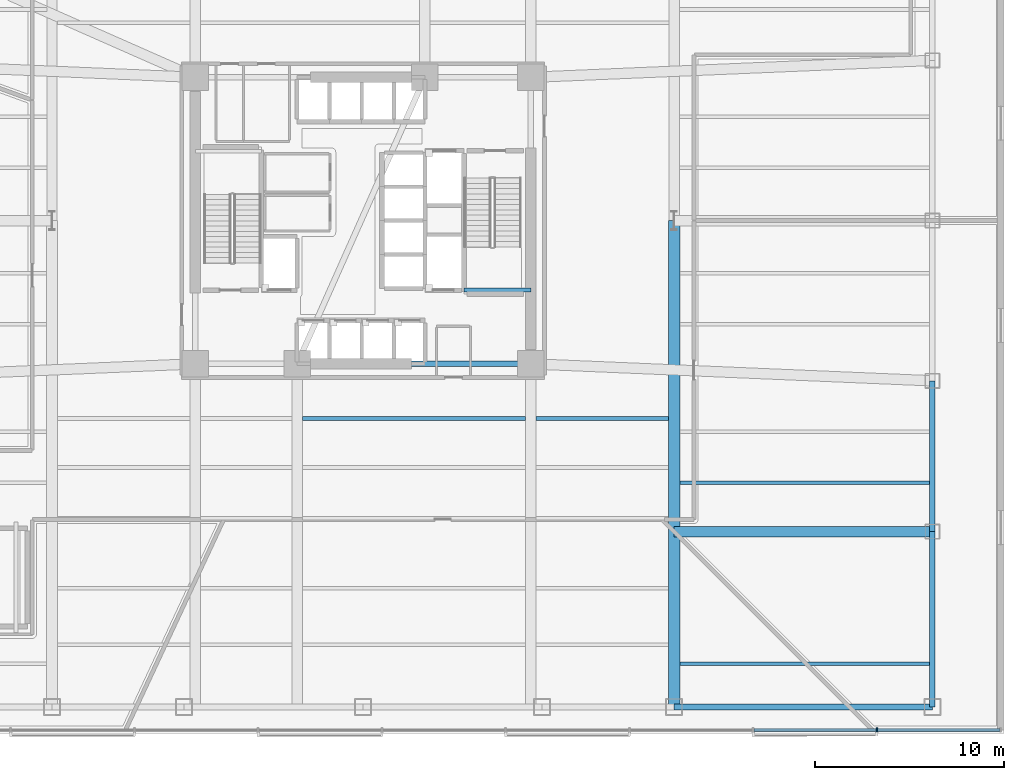
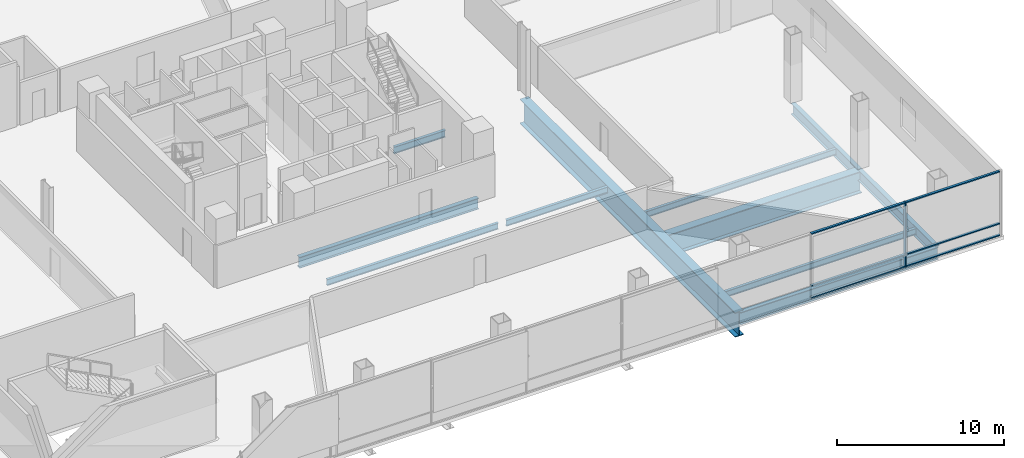
# One storey, part 4 of 24: 11 beams, 7 members, 1 element without a shape of its own.
"""IFC4 building model written with IfcOpenShell, lengths in metres."""

from ifc_helpers import new_model, si_unit, direction, frame, origin, origin_2d, place, context, subcontext, project, spatial, rectangle, i_section, extrude, material, layer, layer_set, material_profile, profile_set, type_object, element, aggregate, save


model = new_model("IFC4")

# Units and contexts
model_context = context("Model", 3, precision=1e-05, world=origin(), true_north=direction((0.0, 1.0)))
body_context = subcontext(model_context, "Body", "Model", "MODEL_VIEW")
ifc_project = project(units=[si_unit("LENGTHUNIT", "METRE"), si_unit("AREAUNIT", "SQUARE_METRE"), si_unit("VOLUMEUNIT", "CUBIC_METRE"), si_unit("PLANEANGLEUNIT", "RADIAN"), si_unit("MASSUNIT", "GRAM", prefix="KILO")], contexts=[model_context])

# Site, building, storey
site_placement = place(None, origin())
site = spatial("IfcSite", under=ifc_project, at=site_placement, CompositionType="ELEMENT")
building_placement = place(site_placement, origin())
building = spatial("IfcBuilding", under=site, at=building_placement, Name="Tharavind Bronze Gate", CompositionType="ELEMENT")
storey_placement = place(building_placement, frame((0.0, 0.0, 21.5)))
storey = spatial("IfcBuildingStorey", under=building, at=storey_placement, Name="L04", CompositionType="ELEMENT", Elevation=21.5)

# Curtain wall, members
ifc_material_1 = material(Name="Anodised Bronze Aluminium", Category="aluminium")
ifc_layer = layer(ifc_material_1, 0.219970703125)
ifc_layer_set = layer_set([ifc_layer], Name="Anodised Bronze Aluminium")
curtain_wall_type = type_object("IfcCurtainWallType", Name="UNITISED CURTAIN WALL PODIUM", PredefinedType="USERDEFINED", material=ifc_layer_set)
curtain_wall_placement = place(storey_placement, origin())
curtain_wall = element("IfcCurtainWall", 1, at=curtain_wall_placement, inside=storey, type_object=curtain_wall_type, Name="L04 unitised curtain wall podium CW-L04-S1", ObjectType="UNITISED CURTAIN WALL", PredefinedType="USERDEFINED")
member_type_1 = type_object("IfcMemberType", Name="CURTAIN WALL MULLION 80X220", PredefinedType="MULLION", material=ifc_material_1)
member_1_placement = place(storey_placement, frame((27.256103515625, -27.02001953125, 0.0), z_axis=(0.0, 0.0, 1.0), x_axis=(1.0, 0.0, 0.0)))
member_1 = element("IfcMember", 2, at=member_1_placement, type_object=member_type_1, Name="CW-L04-S1 mullion 10", PredefinedType="MULLION", context=body_context, shape_type="SweptSolid", body=[
    extrude(rectangle(XDim=0.080078125, YDim=0.219970703125, at=origin_2d()), origin(), (0.0, 0.0, 1.0), 4.739990234375),
])
member_type_2 = type_object("IfcMemberType", Name="CURTAIN WALL TRANSOM 80X160", PredefinedType="USERDEFINED", material=ifc_material_1)
member_2_placement = place(storey_placement, frame((23.97412109375, -27.02001953125, 0.0), z_axis=(0.0, 0.0, 1.0), x_axis=(1.0, 0.0, 0.0)))
member_2 = element("IfcMember", 3, at=member_2_placement, type_object=member_type_2, Name="CW-L04-S1 transom TB9", ObjectType="TRANSOM", PredefinedType="USERDEFINED", context=body_context, shape_type="SweptSolid", body=[
    extrude(rectangle(XDim=6.49609375, YDim=0.159912109375, at=origin_2d()), origin(), (0.0, 0.0, 1.0), 0.080078125),
])
member_3_placement = place(storey_placement, frame((23.97412109375, -27.02001953125, 0.85986328125), z_axis=(0.0, 0.0, 1.0), x_axis=(1.0, 0.0, 0.0)))
member_3 = element("IfcMember", 4, at=member_3_placement, type_object=member_type_2, Name="CW-L04-S1 transom TS9", ObjectType="TRANSOM", PredefinedType="USERDEFINED", context=body_context, shape_type="SweptSolid", body=[
    extrude(rectangle(XDim=6.49609375, YDim=0.159912109375, at=origin_2d()), origin(), (0.0, 0.0, 1.0), 0.080078125),
])
member_4_placement = place(storey_placement, frame((23.97412109375, -27.02001953125, 4.659912109375), z_axis=(0.0, 0.0, 1.0), x_axis=(1.0, 0.0, 0.0)))
member_4 = element("IfcMember", 5, at=member_4_placement, type_object=member_type_2, Name="CW-L04-S1 transom TT9", ObjectType="TRANSOM", PredefinedType="USERDEFINED", context=body_context, shape_type="SweptSolid", body=[
    extrude(rectangle(XDim=6.49609375, YDim=0.159912109375, at=origin_2d()), origin(), (0.0, 0.0, 1.0), 0.080078125),
])
member_5_placement = place(storey_placement, frame((30.5380859375, -27.02001953125, 0.0), z_axis=(0.0, 0.0, 1.0), x_axis=(1.0, 0.0, 0.0)))
member_5 = element("IfcMember", 6, at=member_5_placement, type_object=member_type_2, Name="CW-L04-S1 transom TB10", ObjectType="TRANSOM", PredefinedType="USERDEFINED", context=body_context, shape_type="SweptSolid", body=[
    extrude(rectangle(XDim=6.49609375, YDim=0.159912109375, at=origin_2d()), origin(), (0.0, 0.0, 1.0), 0.080078125),
])
member_6_placement = place(storey_placement, frame((30.5380859375, -27.02001953125, 0.85986328125), z_axis=(0.0, 0.0, 1.0), x_axis=(1.0, 0.0, 0.0)))
member_6 = element("IfcMember", 7, at=member_6_placement, type_object=member_type_2, Name="CW-L04-S1 transom TS10", ObjectType="TRANSOM", PredefinedType="USERDEFINED", context=body_context, shape_type="SweptSolid", body=[
    extrude(rectangle(XDim=6.49609375, YDim=0.159912109375, at=origin_2d()), origin(), (0.0, 0.0, 1.0), 0.080078125),
])
member_7_placement = place(storey_placement, frame((30.5380859375, -27.02001953125, 4.659912109375), z_axis=(0.0, 0.0, 1.0), x_axis=(1.0, 0.0, 0.0)))
member_7 = element("IfcMember", 8, at=member_7_placement, type_object=member_type_2, Name="CW-L04-S1 transom TT10", ObjectType="TRANSOM", PredefinedType="USERDEFINED", context=body_context, shape_type="SweptSolid", body=[
    extrude(rectangle(XDim=6.49609375, YDim=0.159912109375, at=origin_2d()), origin(), (0.0, 0.0, 1.0), 0.080078125),
])
aggregate(curtain_wall, [member_1, member_2, member_3, member_4, member_5, member_6, member_7])

# Beams
ifc_material_2 = material(Name="Steel S355", Category="steel")
ifc_material_profile_1 = material_profile(ifc_material_2, i_section(OverallWidth=0.199951171875, OverallDepth=0.5, WebThickness=0.01025390625, FlangeThickness=0.01611328125, at=origin_2d()), Name="IPE500")
ifc_profile_set_1 = profile_set([ifc_material_profile_1], Name="Steel S355")
beam_type_1 = type_object("IfcBeamType", Name="PRIMARY GIRDER IPE500", PredefinedType="USERDEFINED", material=ifc_profile_set_1)
beam_1_placement = place(storey_placement, frame((5.35009765625, -3.679931640625, 2.050048828125), z_axis=(1.0, 0.0, 0.0), x_axis=(0.0, 1.0, 0.0)))
element("IfcBeam", 9, at=beam_1_placement, inside=storey, type_object=beam_type_1, Name="L04 primary girder ipe500 BM-LD-ST2-L04-1", ObjectType="GIRDER", PredefinedType="USERDEFINED", context=body_context, shape_type="SweptSolid", body=[
    extrude(i_section(OverallWidth=0.199951171875, OverallDepth=0.5, WebThickness=0.01025390625, FlangeThickness=0.01611328125, at=origin_2d()), origin(), (0.0, 0.0, 1.0), 3.5498046875),
])
ifc_material_profile_2 = material_profile(ifc_material_2, i_section(OverallWidth=0.300048828125, OverallDepth=0.800048828125, WebThickness=0.017578125, FlangeThickness=0.032958984375, at=origin_2d()), Name="HE800B")
ifc_profile_set_2 = profile_set([ifc_material_profile_2], Name="Steel S355")
beam_type_2 = type_object("IfcBeamType", Name="RING GIRDER HE800B", PredefinedType="USERDEFINED", material=ifc_profile_set_2)
beam_2_placement = place(storey_placement, frame((-3.5, -7.60009765625, -0.659912109375), z_axis=(1.0, 0.0, 0.0), x_axis=(0.0, 1.0, 0.0)))
element("IfcBeam", 10, at=beam_2_placement, inside=storey, type_object=beam_type_2, Name="L04 ring girder he800b BM-L04-CR2", ObjectType="GIRDER", PredefinedType="USERDEFINED", context=body_context, shape_type="SweptSolid", body=[
    extrude(i_section(OverallWidth=0.300048828125, OverallDepth=0.800048828125, WebThickness=0.017578125, FlangeThickness=0.032958984375, at=origin_2d()), origin(), (0.0, 0.0, 1.0), 12.39990234375),
])
beam_3_placement = place(storey_placement, frame((30.199951171875, -25.800048828125, -0.659912109375), z_axis=(0.0, 1.0, 0.0), x_axis=(-1.0, 0.0, 0.0)))
element("IfcBeam", 11, at=beam_3_placement, inside=storey, type_object=beam_type_2, Name="L04 ring girder he800b BM-L04-PE1", ObjectType="GIRDER", PredefinedType="USERDEFINED", context=body_context, shape_type="SweptSolid", body=[
    extrude(i_section(OverallWidth=0.300048828125, OverallDepth=0.800048828125, WebThickness=0.017578125, FlangeThickness=0.032958984375, at=origin_2d()), origin(), (0.0, 0.0, 1.0), 9.300048828125),
])
beam_4_placement = place(storey_placement, frame((30.199951171875, -16.5, -0.659912109375), z_axis=(0.0, 1.0, 0.0), x_axis=(-1.0, 0.0, 0.0)))
element("IfcBeam", 12, at=beam_4_placement, inside=storey, type_object=beam_type_2, Name="L04 ring girder he800b BM-L04-PE2", ObjectType="GIRDER", PredefinedType="USERDEFINED", context=body_context, shape_type="SweptSolid", body=[
    extrude(i_section(OverallWidth=0.300048828125, OverallDepth=0.800048828125, WebThickness=0.017578125, FlangeThickness=0.032958984375, at=origin_2d()), origin(), (0.0, 0.0, 1.0), 8.0),
])
ifc_material_profile_3 = material_profile(ifc_material_2, i_section(OverallWidth=0.18994140625, OverallDepth=0.449951171875, WebThickness=0.009521484375, FlangeThickness=0.0146484375, at=origin_2d()), Name="IPE450")
ifc_profile_set_3 = profile_set([ifc_material_profile_3], Name="Steel S355")
beam_type_3 = type_object("IfcBeamType", Name="SECONDARY FLOOR JOIST IPE450", PredefinedType="JOIST", material=ifc_profile_set_3)
beam_5_placement = place(storey_placement, frame((-3.222900390625, -10.5, -0.485107421875), z_axis=(1.0, 0.0, 0.0), x_axis=(0.0, 1.0, 0.0)))
element("IfcBeam", 13, at=beam_5_placement, inside=storey, type_object=beam_type_3, Name="L04 secondary floor joist ipe450 BM-L04-JSS5B", PredefinedType="JOIST", context=body_context, shape_type="SweptSolid", body=[
    extrude(i_section(OverallWidth=0.18994140625, OverallDepth=0.449951171875, WebThickness=0.009521484375, FlangeThickness=0.0146484375, at=origin_2d()), origin(), (0.0, 0.0, 1.0), 11.845947265625),
])
beam_6_placement = place(storey_placement, frame((9.177001953125, -10.5, -0.485107421875), z_axis=(1.0, 0.0, 0.0), x_axis=(0.0, 1.0, 0.0)))
element("IfcBeam", 14, at=beam_6_placement, inside=storey, type_object=beam_type_3, Name="L04 secondary floor joist ipe450 BM-L04-JSS5E", PredefinedType="JOIST", context=body_context, shape_type="SweptSolid", body=[
    extrude(i_section(OverallWidth=0.18994140625, OverallDepth=0.449951171875, WebThickness=0.009521484375, FlangeThickness=0.0146484375, at=origin_2d()), origin(), (0.0, 0.0, 1.0), 7.02099609375),
])
for number, where, z_axis, x_axis, name in (
    (15, (16.802001953125, -23.5, -0.485107421875), (1.0, 0.0, 0.0), (0.0, 1.0, 0.0), "L04 secondary floor joist ipe450 BM-L04-JSEE1"),
    (16, (16.802001953125, -13.89990234375, -0.485107421875), (1.0, 0.0, 0.0), (0.0, 1.0, 0.0), "L04 secondary floor joist ipe450 BM-L04-JSEE2"),
):
    element("IfcBeam", number, at=place(storey_placement, frame(where, z_axis=z_axis, x_axis=x_axis)), inside=storey, type_object=beam_type_3, Name=name, PredefinedType="JOIST", context=body_context, shape_type="SweptSolid", body=[
        extrude(i_section(OverallWidth=0.18994140625, OverallDepth=0.449951171875, WebThickness=0.009521484375, FlangeThickness=0.0146484375, at=origin_2d()), origin(), (0.0, 0.0, 1.0), 13.238037109375),
    ])
ifc_material_profile_4 = material_profile(ifc_material_2, i_section(OverallWidth=0.300048828125, OverallDepth=0.89990234375, WebThickness=0.0185546875, FlangeThickness=0.034912109375, at=origin_2d()), Name="HE900B")
ifc_profile_set_4 = profile_set([ifc_material_profile_4], Name="Steel S355")
beam_type_4 = type_object("IfcBeamType", Name="SPANDREL RING BEAM HE900B", PredefinedType="SPANDREL", material=ifc_profile_set_4)
beam_7_placement = place(storey_placement, frame((16.5, -25.800048828125, -0.7099609375), z_axis=(1.0, 0.0, 0.0), x_axis=(0.0, 1.0, 0.0)))
element("IfcBeam", 17, at=beam_7_placement, inside=storey, type_object=beam_type_4, Name="L04 spandrel ring beam he900b BM-L04-PS6", PredefinedType="SPANDREL", context=body_context, shape_type="SweptSolid", body=[
    extrude(i_section(OverallWidth=0.300048828125, OverallDepth=0.89990234375, WebThickness=0.0185546875, FlangeThickness=0.034912109375, at=origin_2d()), origin(), (0.0, 0.0, 1.0), 13.699951171875),
])
ifc_material_3 = material(Name="Steel S460", Category="steel")
ifc_material_profile_5 = material_profile(ifc_material_3, i_section(OverallWidth=0.550048828125, OverallDepth=1.60009765625, WebThickness=0.030029296875, FlangeThickness=0.050048828125, at=origin_2d()), Name="PG1600X550")
ifc_profile_set_5 = profile_set([ifc_material_profile_5], Name="Steel S460")
beam_type_5 = type_object("IfcBeamType", Name="TRANSFER GIRDER 1600X550", PredefinedType="USERDEFINED", material=ifc_profile_set_5)
beam_8_placement = place(storey_placement, frame((30.199951171875, -16.5, -1.06005859375), z_axis=(-1.0, 0.0, 0.0), x_axis=(0.0, -1.0, 0.0)))
element("IfcBeam", 18, at=beam_8_placement, inside=storey, type_object=beam_type_5, Name="L04 transfer girder 1600x550 BM-L04-GE0", ObjectType="TRANSFER GIRDER", PredefinedType="USERDEFINED", context=body_context, shape_type="SweptSolid", body=[
    extrude(i_section(OverallWidth=0.550048828125, OverallDepth=1.60009765625, WebThickness=0.030029296875, FlangeThickness=0.050048828125, at=origin_2d()), origin(), (0.0, 0.0, 1.0), 13.699951171875),
])
ifc_material_profile_6 = material_profile(ifc_material_3, i_section(OverallWidth=0.60009765625, OverallDepth=1.800048828125, WebThickness=0.031982421875, FlangeThickness=0.054931640625, at=origin_2d()), Name="PG1800X600")
ifc_profile_set_6 = profile_set([ifc_material_profile_6], Name="Steel S460")
beam_type_6 = type_object("IfcBeamType", Name="TRANSFER GIRDER 1800X600", PredefinedType="USERDEFINED", material=ifc_profile_set_6)
beam_9_placement = place(storey_placement, frame((16.5, -25.800048828125, -1.159912109375), z_axis=(0.0, 1.0, 0.0), x_axis=(-1.0, 0.0, 0.0)))
element("IfcBeam", 19, at=beam_9_placement, inside=storey, type_object=beam_type_6, Name="L04 transfer girder 1800x600 BM-L04-GS5S", ObjectType="TRANSFER GIRDER", PredefinedType="USERDEFINED", context=body_context, shape_type="SweptSolid", body=[
    extrude(i_section(OverallWidth=0.60009765625, OverallDepth=1.800048828125, WebThickness=0.031982421875, FlangeThickness=0.054931640625, at=origin_2d()), origin(), (0.0, 0.0, 1.0), 25.800048828125),
])

save(model, "model.ifc")
